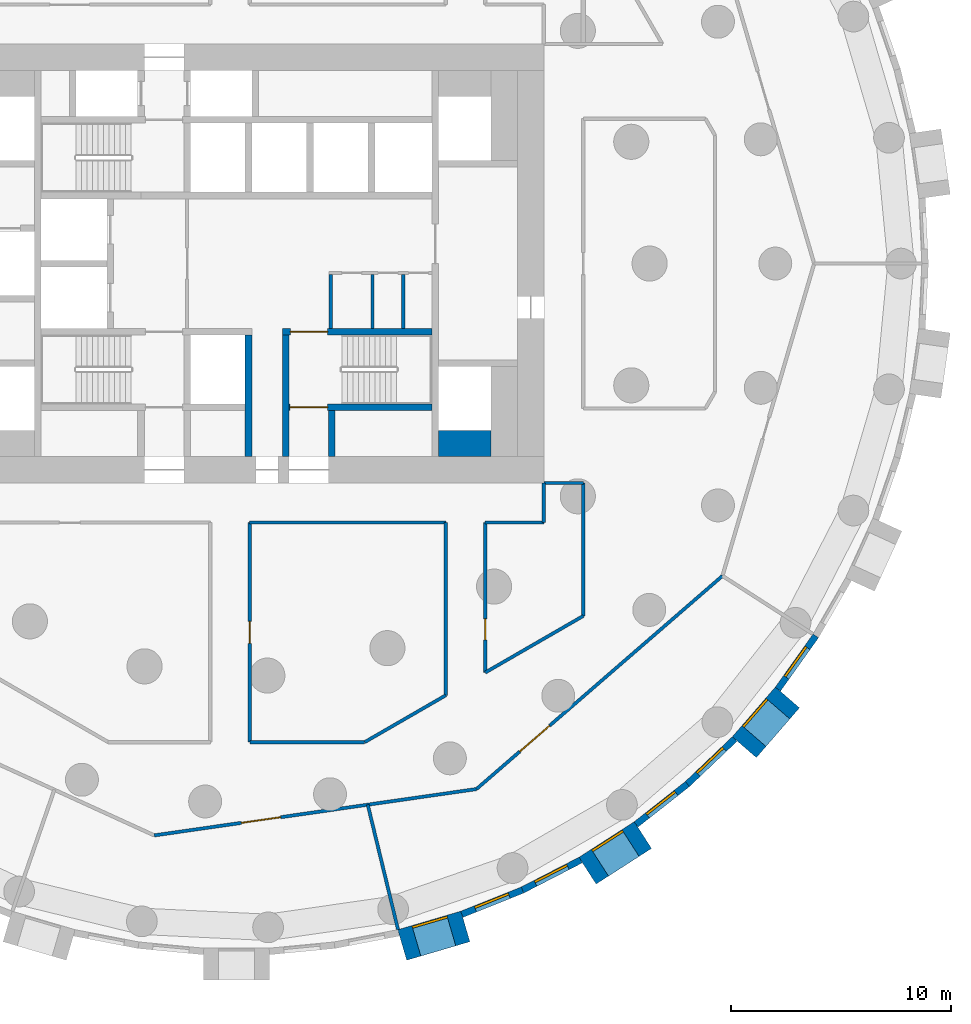
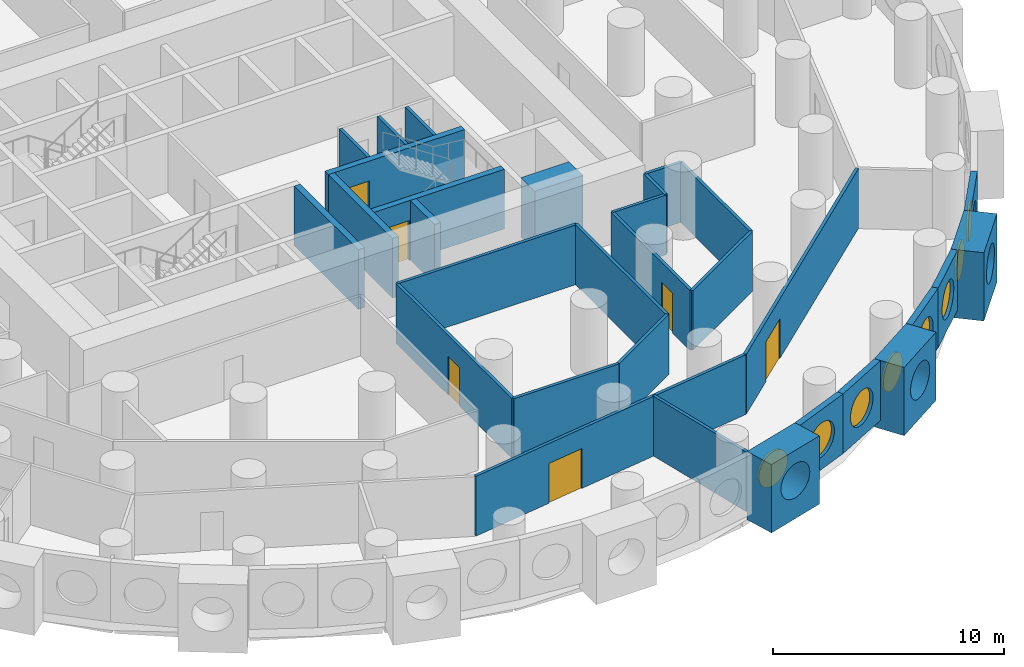
# One storey, part 5 of 12: 31 walls, 8 windows, 6 doors, 14 openings.
"""IFC4 building model written with IfcOpenShell, lengths in metres."""

from ifc_helpers import new_model, si_unit, direction, frame, frame_2d, origin, origin_2d, place, context, subcontext, project, spatial, rectangle, circle, extrude, material, layer, layer_set, type_object, element, fill, save


model = new_model("IFC4")

# Units and contexts
model_context = context("Model", 3, precision=1e-05, world=origin(), true_north=direction((0.0, 1.0)))
body_context = subcontext(model_context, "Body", "Model", "MODEL_VIEW")
ifc_project = project(units=[si_unit("LENGTHUNIT", "METRE"), si_unit("AREAUNIT", "SQUARE_METRE"), si_unit("VOLUMEUNIT", "CUBIC_METRE"), si_unit("PLANEANGLEUNIT", "RADIAN"), si_unit("MASSUNIT", "GRAM", prefix="KILO")], contexts=[model_context])

# Site, building, storey
site_placement = place(None, origin())
site = spatial("IfcSite", under=ifc_project, at=site_placement, CompositionType="ELEMENT")
building_placement = place(site_placement, origin())
building = spatial("IfcBuilding", under=site, at=building_placement, Name="Tracery Tower", CompositionType="ELEMENT")
storey_placement = place(building_placement, frame((0.0, 0.0, 57.0)))
storey = spatial("IfcBuildingStorey", under=building, at=storey_placement, Name="L13", CompositionType="ELEMENT", Elevation=57.0)

# Walls
ifc_material_1 = material(Name="Plasterboard on steel studs", Category="steel")
ifc_layer_1 = layer(ifc_material_1, 0.14990234375)
ifc_layer_set_1 = layer_set([ifc_layer_1], Name="Core room partition 150")
wall_type_1 = type_object("IfcWallType", Name="Core room partition 150", PredefinedType="SOLIDWALL", material=ifc_layer_set_1)
for number, where, z_axis, x_axis, name in (
    (1, (4.300048828125, -2.949951171875, 0.0), (0.0, 0.0, 1.0), (0.0, 1.0, 0.0), "L13 slot W"),
    (2, (6.199951171875, -2.949951171875, 0.0), (0.0, 0.0, 1.0), (0.0, 1.0, 0.0), "L13 slot sep 1"),
    (3, (7.60009765625, -2.949951171875, 0.0), (0.0, 0.0, 1.0), (0.0, 1.0, 0.0), "L13 slot sep 2"),
):
    element("IfcWall", number, at=place(storey_placement, frame(where, z_axis=z_axis, x_axis=x_axis)), inside=storey, type_object=wall_type_1, Name=name, PredefinedType="SOLIDWALL", context=body_context, shape_type="SweptSolid", body=[
        extrude(rectangle(XDim=2.449951171875, YDim=0.14990234375, at=frame_2d((1.22509765625, 0.0))), origin(), (0.0, 0.0, 1.0), 3.14990234375),
    ])
ifc_material_2 = material(Name="Concrete C60/75", Category="concrete")
ifc_layer_2 = layer(ifc_material_2, 1.199951171875)
ifc_layer_set_2 = layer_set([ifc_layer_2], Name="Core strip wall 1200 C60")
wall_type_2 = type_object("IfcWallType", Name="Core strip wall 1200 C60", PredefinedType="SOLIDWALL", material=ifc_layer_set_2)
wall_1_placement = place(storey_placement, frame((9.199951171875, -8.199951171875, 0.0), z_axis=(0.0, 0.0, 1.0), x_axis=(1.0, 0.0, 0.0)))
element("IfcWall", 4, at=wall_1_placement, inside=storey, type_object=wall_type_2, Name="L13 wing corner +1 -8.2", PredefinedType="SOLIDWALL", context=body_context, shape_type="SweptSolid", body=[
    extrude(rectangle(XDim=2.400146484375, YDim=1.199951171875, at=frame_2d((1.2001953125, 0.0))), origin(), (0.0, 0.0, 1.0), 3.14990234375),
])

# Wall, opening, window
ifc_material_3 = material(Name="Precast concrete C50/60", Category="concrete")
ifc_layer_3 = layer(ifc_material_3, 1.449951171875)
ifc_layer_set_3 = layer_set([ifc_layer_3], Name="Deep-set bay unit 3000 x 3600, slab edge 450")
wall_type_3 = type_object("IfcWallType", Name="Deep-set bay unit 3000 x 3600, slab edge 450", PredefinedType="ELEMENTEDWALL", material=ifc_layer_set_3)
wall_2_placement = place(storey_placement, frame((7.552001953125, -31.043701171875, -0.449951171875), z_axis=(0.0, 0.0, 1.0), x_axis=(0.959489813418, 0.281743319258, 0.0)))
wall_2 = element("IfcWall", 5, at=wall_2_placement, inside=storey, type_object=wall_type_3, Name="Deep-set bay unit 53 at L13", PredefinedType="ELEMENTEDWALL", context=body_context, shape_type="SweptSolid", body=[
    extrude(rectangle(XDim=3.0, YDim=1.449951171875, at=frame_2d((1.5, 0.0))), origin(), (0.0, 0.0, 1.0), 3.599853515625),
])
opening_1_placement = place(wall_2_placement, frame((1.5, 0.0, 2.0)))
opening_1 = element("IfcOpeningElement", 6, at=opening_1_placement, cuts=wall_2, Name="Opening WN1", PredefinedType="OPENING", context=body_context, shape_type="SweptSolid", body=[
    extrude(circle(Radius=0.9000244140625, at=origin_2d()), frame((0.0, 0.73486328125, 0.0), z_axis=(0.0, -1.0, 0.0), x_axis=(1.0, 0.0, 0.0)), (0.0, 0.0, 1.0), 1.469970703125),
])
ifc_material_4 = material(Name="Aluminium frame with tinted double glazing", Category="aluminium")
window_type = type_object("IfcWindowType", Name="Round window 1800", PartitioningType="SINGLE_PANEL", PredefinedType="WINDOW", material=ifc_material_4)
window_1_placement = place(opening_1_placement, origin())
window_1 = element("IfcWindow", 7, at=window_1_placement, inside=storey, type_object=window_type, Name="Round window 53 at L13", OverallHeight=1.800048828125, OverallWidth=1.800048828125, PartitioningType="SINGLE_PANEL", PredefinedType="WINDOW", context=body_context, shape_type="SweptSolid", body=[
    extrude(circle(Radius=0.9000244140625, at=origin_2d()), frame((0.0, 0.69482421875, 0.0), z_axis=(0.0, -1.0, 0.0), x_axis=(1.0, 0.0, 0.0)), (0.0, 0.0, 1.0), 0.10009765625),
])
fill(opening_1, window_1)

wall_3_placement = place(storey_placement, frame((15.9921875, -27.65869140625, -0.449951171875), z_axis=(0.0, 0.0, 1.0), x_axis=(0.841223422347, 0.540687667415, 0.0)))
wall_3 = element("IfcWall", 8, at=wall_3_placement, inside=storey, type_object=wall_type_3, Name="Deep-set bay unit 56 at L13", PredefinedType="ELEMENTEDWALL", context=body_context, shape_type="SweptSolid", body=[
    extrude(rectangle(XDim=3.0, YDim=1.449951171875, at=frame_2d((1.5, 0.0))), origin(), (0.0, 0.0, 1.0), 3.599853515625),
])
opening_2_placement = place(wall_3_placement, frame((1.5, 0.0, 2.0)))
opening_2 = element("IfcOpeningElement", 9, at=opening_2_placement, cuts=wall_3, Name="Opening WN1", PredefinedType="OPENING", context=body_context, shape_type="SweptSolid", body=[
    extrude(circle(Radius=0.9000244140625, at=origin_2d()), frame((0.0, 0.73486328125, 0.0), z_axis=(0.0, -1.0, 0.0), x_axis=(1.0, 0.0, 0.0)), (0.0, 0.0, 1.0), 1.469970703125),
])
window_2_placement = place(opening_2_placement, origin())
window_2 = element("IfcWindow", 10, at=window_2_placement, inside=storey, type_object=window_type, Name="Round window 56 at L13", OverallHeight=1.800048828125, OverallWidth=1.800048828125, PartitioningType="SINGLE_PANEL", PredefinedType="WINDOW", context=body_context, shape_type="SweptSolid", body=[
    extrude(circle(Radius=0.9000244140625, at=origin_2d()), frame((0.0, 0.69482421875, 0.0), z_axis=(0.0, -1.0, 0.0), x_axis=(1.0, 0.0, 0.0)), (0.0, 0.0, 1.0), 0.10009765625),
])
fill(opening_2, window_2)

wall_4_placement = place(storey_placement, frame((23.13671875, -22.03271484375, -0.449951171875), z_axis=(0.0, 0.0, 1.0), x_axis=(0.654890259022, 0.75572398972, 0.0)))
wall_4 = element("IfcWall", 11, at=wall_4_placement, inside=storey, type_object=wall_type_3, Name="Deep-set bay unit 59 at L13", PredefinedType="ELEMENTEDWALL", context=body_context, shape_type="SweptSolid", body=[
    extrude(rectangle(XDim=3.0, YDim=1.449951171875, at=frame_2d((1.5, 0.0))), origin(), (0.0, 0.0, 1.0), 3.599853515625),
])
opening_3_placement = place(wall_4_placement, frame((1.5, 0.0, 2.0)))
opening_3 = element("IfcOpeningElement", 12, at=opening_3_placement, cuts=wall_4, Name="Opening WN1", PredefinedType="OPENING", context=body_context, shape_type="SweptSolid", body=[
    extrude(circle(Radius=0.9000244140625, at=origin_2d()), frame((0.0, 0.73486328125, 0.0), z_axis=(0.0, -1.0, 0.0), x_axis=(1.0, 0.0, 0.0)), (0.0, 0.0, 1.0), 1.469970703125),
])
window_3_placement = place(opening_3_placement, origin())
window_3 = element("IfcWindow", 13, at=window_3_placement, inside=storey, type_object=window_type, Name="Round window 59 at L13", OverallHeight=1.800048828125, OverallWidth=1.800048828125, PartitioningType="SINGLE_PANEL", PredefinedType="WINDOW", context=body_context, shape_type="SweptSolid", body=[
    extrude(circle(Radius=0.9000244140625, at=origin_2d()), frame((0.0, 0.69482421875, 0.0), z_axis=(0.0, -1.0, 0.0), x_axis=(1.0, 0.0, 0.0)), (0.0, 0.0, 1.0), 0.10009765625),
])
fill(opening_3, window_3)

ifc_material_5 = material(Name="Precast concrete C50/60", Category="concrete")
ifc_layer_4 = layer(ifc_material_5, 0.300048828125)
ifc_layer_set_4 = layer_set([ifc_layer_4], Name="Facade panel 3000 x 3150")
wall_type_4 = type_object("IfcWallType", Name="Facade panel 3000 x 3150", PredefinedType="SOLIDWALL", material=ifc_layer_set_4)
wall_5_placement = place(storey_placement, frame((10.26708984375, -29.646484375, 0.0), z_axis=(0.0, 0.0, 1.0), x_axis=(0.928403213937, 0.371574316054, 0.0)))
wall_5 = element("IfcWall", 14, at=wall_5_placement, inside=storey, type_object=wall_type_4, Name="Facade panel 54 at L13", PredefinedType="SOLIDWALL", context=body_context, shape_type="SweptSolid", body=[
    extrude(rectangle(XDim=2.979736328125, YDim=0.300048828125, at=frame_2d((1.48974609375, 0.0))), origin(), (0.0, 0.0, 1.0), 3.14990234375),
])
opening_4_placement = place(wall_5_placement, frame((1.48974609375, 0.0, 1.5498046875)))
opening_4 = element("IfcOpeningElement", 15, at=opening_4_placement, cuts=wall_5, Name="Opening WN1", PredefinedType="OPENING", context=body_context, shape_type="SweptSolid", body=[
    extrude(circle(Radius=0.9000244140625, at=origin_2d()), frame((0.0, 0.159912109375, 0.0), z_axis=(0.0, -1.0, 0.0), x_axis=(1.0, 0.0, 0.0)), (0.0, 0.0, 1.0), 0.320068359375),
])
window_4_placement = place(opening_4_placement, origin())
window_4 = element("IfcWindow", 16, at=window_4_placement, inside=storey, type_object=window_type, Name="Round window 54 at L13", OverallHeight=1.800048828125, OverallWidth=1.800048828125, PartitioningType="SINGLE_PANEL", PredefinedType="WINDOW", context=body_context, shape_type="SweptSolid", body=[
    extrude(circle(Radius=0.9000244140625, at=origin_2d()), frame((0.0, 0.1201171875, 0.0), z_axis=(0.0, -1.0, 0.0), x_axis=(1.0, 0.0, 0.0)), (0.0, 0.0, 1.0), 0.10009765625),
])
fill(opening_4, window_4)

wall_6_placement = place(storey_placement, frame((13.033447265625, -28.539306640625, 0.0), z_axis=(0.0, 0.0, 1.0), x_axis=(0.888819853856, 0.458256770153, 0.0)))
wall_6 = element("IfcWall", 17, at=wall_6_placement, inside=storey, type_object=wall_type_4, Name="Facade panel 55 at L13", PredefinedType="SOLIDWALL", context=body_context, shape_type="SweptSolid", body=[
    extrude(rectangle(XDim=2.979736328125, YDim=0.300048828125, at=frame_2d((1.48974609375, 0.0))), origin(), (0.0, 0.0, 1.0), 3.14990234375),
])
opening_5_placement = place(wall_6_placement, frame((1.48974609375, 0.0, 1.5498046875)))
opening_5 = element("IfcOpeningElement", 18, at=opening_5_placement, cuts=wall_6, Name="Opening WN1", PredefinedType="OPENING", context=body_context, shape_type="SweptSolid", body=[
    extrude(circle(Radius=0.9000244140625, at=origin_2d()), frame((0.0, 0.159912109375, 0.0), z_axis=(0.0, -1.0, 0.0), x_axis=(1.0, 0.0, 0.0)), (0.0, 0.0, 1.0), 0.320068359375),
])
window_5_placement = place(opening_5_placement, origin())
window_5 = element("IfcWindow", 19, at=window_5_placement, inside=storey, type_object=window_type, Name="Round window 55 at L13", OverallHeight=1.800048828125, OverallWidth=1.800048828125, PartitioningType="SINGLE_PANEL", PredefinedType="WINDOW", context=body_context, shape_type="SweptSolid", body=[
    extrude(circle(Radius=0.9000244140625, at=origin_2d()), frame((0.0, 0.1201171875, 0.0), z_axis=(0.0, -1.0, 0.0), x_axis=(1.0, 0.0, 0.0)), (0.0, 0.0, 1.0), 0.10009765625),
])
fill(opening_5, window_5)

wall_7_placement = place(storey_placement, frame((18.20361328125, -25.55322265625, 0.0), z_axis=(0.0, 0.0, 1.0), x_axis=(0.786045331304, 0.618168858108, 0.0)))
wall_7 = element("IfcWall", 20, at=wall_7_placement, inside=storey, type_object=wall_type_4, Name="Facade panel 57 at L13", PredefinedType="SOLIDWALL", context=body_context, shape_type="SweptSolid", body=[
    extrude(rectangle(XDim=2.979736328125, YDim=0.300048828125, at=frame_2d((1.48974609375, 0.0))), origin(), (0.0, 0.0, 1.0), 3.14990234375),
])
opening_6_placement = place(wall_7_placement, frame((1.48974609375, 0.0, 1.5498046875)))
opening_6 = element("IfcOpeningElement", 21, at=opening_6_placement, cuts=wall_7, Name="Opening WN1", PredefinedType="OPENING", context=body_context, shape_type="SweptSolid", body=[
    extrude(circle(Radius=0.9000244140625, at=origin_2d()), frame((0.0, 0.159912109375, 0.0), z_axis=(0.0, -1.0, 0.0), x_axis=(1.0, 0.0, 0.0)), (0.0, 0.0, 1.0), 0.320068359375),
])
window_6_placement = place(opening_6_placement, origin())
window_6 = element("IfcWindow", 22, at=window_6_placement, inside=storey, type_object=window_type, Name="Round window 57 at L13", OverallHeight=1.800048828125, OverallWidth=1.800048828125, PartitioningType="SINGLE_PANEL", PredefinedType="WINDOW", context=body_context, shape_type="SweptSolid", body=[
    extrude(circle(Radius=0.9000244140625, at=origin_2d()), frame((0.0, 0.1201171875, 0.0), z_axis=(0.0, -1.0, 0.0), x_axis=(1.0, 0.0, 0.0)), (0.0, 0.0, 1.0), 0.10009765625),
])
fill(opening_6, window_6)

wall_8_placement = place(storey_placement, frame((20.5458984375, -23.711181640625, 0.0), z_axis=(0.0, 0.0, 1.0), x_axis=(0.723744206617, 0.690068346896, 0.0)))
wall_8 = element("IfcWall", 23, at=wall_8_placement, inside=storey, type_object=wall_type_4, Name="Facade panel 58 at L13", PredefinedType="SOLIDWALL", context=body_context, shape_type="SweptSolid", body=[
    extrude(rectangle(XDim=2.979736328125, YDim=0.300048828125, at=frame_2d((1.48974609375, 0.0))), origin(), (0.0, 0.0, 1.0), 3.14990234375),
])
opening_7_placement = place(wall_8_placement, frame((1.48974609375, 0.0, 1.5498046875)))
opening_7 = element("IfcOpeningElement", 24, at=opening_7_placement, cuts=wall_8, Name="Opening WN1", PredefinedType="OPENING", context=body_context, shape_type="SweptSolid", body=[
    extrude(circle(Radius=0.9000244140625, at=origin_2d()), frame((0.0, 0.159912109375, 0.0), z_axis=(0.0, -1.0, 0.0), x_axis=(1.0, 0.0, 0.0)), (0.0, 0.0, 1.0), 0.320068359375),
])
window_7_placement = place(opening_7_placement, origin())
window_7 = element("IfcWindow", 25, at=window_7_placement, inside=storey, type_object=window_type, Name="Round window 58 at L13", OverallHeight=1.800048828125, OverallWidth=1.800048828125, PartitioningType="SINGLE_PANEL", PredefinedType="WINDOW", context=body_context, shape_type="SweptSolid", body=[
    extrude(circle(Radius=0.9000244140625, at=origin_2d()), frame((0.0, 0.1201171875, 0.0), z_axis=(0.0, -1.0, 0.0), x_axis=(1.0, 0.0, 0.0)), (0.0, 0.0, 1.0), 0.10009765625),
])
fill(opening_7, window_7)

wall_9_placement = place(storey_placement, frame((24.66552734375, -19.389404296875, 0.0), z_axis=(0.0, 0.0, 1.0), x_axis=(0.580059407678, 0.81457417315, 0.0)))
wall_9 = element("IfcWall", 26, at=wall_9_placement, inside=storey, type_object=wall_type_4, Name="Facade panel 60 at L13", PredefinedType="SOLIDWALL", context=body_context, shape_type="SweptSolid", body=[
    extrude(rectangle(XDim=2.9794921875, YDim=0.300048828125, at=frame_2d((1.48974609375, 0.0))), origin(), (0.0, 0.0, 1.0), 3.14990234375),
])
opening_8_placement = place(wall_9_placement, frame((1.48974609375, 0.0, 1.5498046875)))
opening_8 = element("IfcOpeningElement", 27, at=opening_8_placement, cuts=wall_9, Name="Opening WN1", PredefinedType="OPENING", context=body_context, shape_type="SweptSolid", body=[
    extrude(circle(Radius=0.9000244140625, at=origin_2d()), frame((0.0, 0.159912109375, 0.0), z_axis=(0.0, -1.0, 0.0), x_axis=(1.0, 0.0, 0.0)), (0.0, 0.0, 1.0), 0.320068359375),
])
window_8_placement = place(opening_8_placement, origin())
window_8 = element("IfcWindow", 28, at=window_8_placement, inside=storey, type_object=window_type, Name="Round window 60 at L13", OverallHeight=1.800048828125, OverallWidth=1.800048828125, PartitioningType="SINGLE_PANEL", PredefinedType="WINDOW", context=body_context, shape_type="SweptSolid", body=[
    extrude(circle(Radius=0.9000244140625, at=origin_2d()), frame((0.0, 0.1201171875, 0.0), z_axis=(0.0, -1.0, 0.0), x_axis=(1.0, 0.0, 0.0)), (0.0, 0.0, 1.0), 0.10009765625),
])
fill(opening_8, window_8)

# Walls
ifc_material_6 = material(Name="Plasterboard on steel studs", Category="steel")
ifc_layer_5 = layer(ifc_material_6, 0.14990234375)
ifc_layer_set_5 = layer_set([ifc_layer_5], Name="Partition 150 acoustic unit wall")
wall_type_5 = type_object("IfcWallType", Name="Partition 150 acoustic unit wall", PredefinedType="PARTITIONING", material=ifc_layer_set_5)
wall_10_placement = place(storey_placement, frame((5.98095703125, -24.652099609375, 0.0), z_axis=(0.0, 0.0, 1.0), x_axis=(0.235644168604, -0.971839403298, 0.0)))
element("IfcWall", 29, at=wall_10_placement, inside=storey, type_object=wall_type_5, Name="Unit wall RA3-101", PredefinedType="PARTITIONING", context=body_context, shape_type="SweptSolid", body=[
    extrude(rectangle(XDim=5.85693359375, YDim=0.14990234375, at=frame_2d((2.928466796875, 0.0))), origin(), (0.0, 0.0, 1.0), 3.14990234375),
])
ifc_material_7 = material(Name="Plasterboard on steel studs", Category="steel")
ifc_layer_6 = layer(ifc_material_7, 0.14990234375)
ifc_layer_set_6 = layer_set([ifc_layer_6], Name="Partition 150 corridor wall")
wall_type_6 = type_object("IfcWallType", Name="Partition 150 corridor wall", PredefinedType="PARTITIONING", material=ifc_layer_set_6)
wall_11_placement = place(storey_placement, frame((0.60400390625, -11.800048828125, 0.0), z_axis=(0.0, 0.0, 1.0), x_axis=(1.0, 0.0, 0.0)))
element("IfcWall", 30, at=wall_11_placement, inside=storey, type_object=wall_type_6, Name="Corridor wall RA3-006", PredefinedType="PARTITIONING", context=body_context, shape_type="SweptSolid", body=[
    extrude(rectangle(XDim=8.93603515625, YDim=0.14990234375, at=frame_2d((4.468017578125, 0.0))), origin(), (0.0, 0.0, 1.0), 3.14990234375),
])
wall_12_placement = place(storey_placement, frame((14.0, -11.800048828125, 0.0), z_axis=(0.0, 0.0, 1.0), x_axis=(0.0, 1.0, 0.0)))
element("IfcWall", 31, at=wall_12_placement, inside=storey, type_object=wall_type_6, Name="Corridor wall RA3-007", PredefinedType="PARTITIONING", context=body_context, shape_type="SweptSolid", body=[
    extrude(rectangle(XDim=1.800048828125, YDim=0.14990234375, at=frame_2d((0.89990234375, 0.0))), origin(), (0.0, 0.0, 1.0), 3.14990234375),
])
wall_13_placement = place(storey_placement, frame((11.33203125, -11.800048828125, 0.0), z_axis=(0.0, 0.0, 1.0), x_axis=(1.0, 0.0, 0.0)))
element("IfcWall", 32, at=wall_13_placement, inside=storey, type_object=wall_type_6, Name="Corridor wall RA3-008", PredefinedType="PARTITIONING", context=body_context, shape_type="SweptSolid", body=[
    extrude(rectangle(XDim=2.66796875, YDim=0.14990234375, at=frame_2d((1.333984375, 0.0))), origin(), (0.0, 0.0, 1.0), 3.14990234375),
])
wall_14_placement = place(storey_placement, frame((14.0, -10.0, 0.0), z_axis=(0.0, 0.0, 1.0), x_axis=(1.0, 0.0, 0.0)))
element("IfcWall", 33, at=wall_14_placement, inside=storey, type_object=wall_type_6, Name="Corridor wall RA3-011", PredefinedType="PARTITIONING", context=body_context, shape_type="SweptSolid", body=[
    extrude(rectangle(XDim=1.800048828125, YDim=0.14990234375, at=frame_2d((0.89990234375, 0.0))), origin(), (0.0, 0.0, 1.0), 3.14990234375),
])
wall_15_placement = place(storey_placement, frame((15.800048828125, -16.052978515625, 0.0), z_axis=(0.0, 0.0, 1.0), x_axis=(0.0, 1.0, 0.0)))
element("IfcWall", 34, at=wall_15_placement, inside=storey, type_object=wall_type_6, Name="Corridor wall RA3-014", PredefinedType="PARTITIONING", context=body_context, shape_type="SweptSolid", body=[
    extrude(rectangle(XDim=6.056884765625, YDim=0.14990234375, at=frame_2d((3.0283203125, 0.0))), origin(), (0.0, 0.0, 1.0), 3.14990234375),
])

# Wall, opening, door
wall_16_placement = place(storey_placement, frame((10.93310546875, -23.940185546875, 0.0), z_axis=(0.0, 0.0, 1.0), x_axis=(0.755770011705, 0.654837147242, 0.0)))
wall_16 = element("IfcWall", 35, at=wall_16_placement, inside=storey, type_object=wall_type_6, Name="Corridor wall RA3-023", PredefinedType="PARTITIONING", context=body_context, shape_type="SweptSolid", body=[
    extrude(rectangle(XDim=14.829833984375, YDim=0.14990234375, at=frame_2d((7.4150390625, 0.0))), origin(), (0.0, 0.0, 1.0), 3.14990234375),
])
opening_9_placement = place(wall_16_placement, frame((2.61083984375, 0.0, 0.0)))
opening_9 = element("IfcOpeningElement", 36, at=opening_9_placement, cuts=wall_16, Name="Opening RA3-40", PredefinedType="OPENING", context=body_context, shape_type="SweptSolid", body=[
    extrude(rectangle(XDim=1.800048828125, YDim=2.10009765625, at=frame_2d((0.89990234375, 1.050048828125))), frame((0.0, 0.074951171875, 0.0), z_axis=(0.0, -1.0, 0.0), x_axis=(1.0, 0.0, 0.0)), (0.0, 0.0, 1.0), 0.14990234375),
])
ifc_material_8 = material(Name="Timber door leaf", Category="wood")
door_type_1 = type_object("IfcDoorType", Name="Door double lounge 1800", OperationType="NOTDEFINED", PredefinedType="DOOR", material=ifc_material_8)
door_1_placement = place(opening_9_placement, origin())
door_1 = element("IfcDoor", 37, at=door_1_placement, inside=storey, type_object=door_type_1, Name="Double lounge door RA3-40", OperationType="DOUBLE_DOOR_SINGLE_SWING", OverallHeight=2.10009765625, OverallWidth=1.800048828125, PredefinedType="DOOR", context=body_context, shape_type="SweptSolid", body=[
    extrude(rectangle(XDim=1.800048828125, YDim=2.10009765625, at=frame_2d((0.89990234375, 1.050048828125))), frame((0.0, 0.02490234375, 0.0), z_axis=(0.0, -1.0, 0.0), x_axis=(1.0, 0.0, 0.0)), (0.0, 0.0, 1.0), 0.050048828125),
])
fill(opening_9, door_1)

wall_17_placement = place(storey_placement, frame((0.60791015625, -21.802001953125, 0.0), z_axis=(0.0, 0.0, 1.0), x_axis=(0.0, 1.0, 0.0)))
wall_17 = element("IfcWall", 38, at=wall_17_placement, inside=storey, type_object=wall_type_6, Name="Corridor wall RA3-050", PredefinedType="PARTITIONING", context=body_context, shape_type="SweptSolid", body=[
    extrude(rectangle(XDim=10.001953125, YDim=0.14990234375, at=frame_2d((5.0009765625, 0.0))), origin(), (0.0, 0.0, 1.0), 3.14990234375),
])
opening_10_placement = place(wall_17_placement, frame((4.5009765625, 0.0, 0.0)))
opening_10 = element("IfcOpeningElement", 39, at=opening_10_placement, cuts=wall_17, Name="Opening RA3-05", PredefinedType="OPENING", context=body_context, shape_type="SweptSolid", body=[
    extrude(rectangle(XDim=1.0, YDim=2.0400390625, at=frame_2d((0.5, 1.02001953125))), frame((0.0, 0.074951171875, 0.0), z_axis=(0.0, -1.0, 0.0), x_axis=(1.0, 0.0, 0.0)), (0.0, 0.0, 1.0), 0.14990234375),
])
ifc_material_9 = material(Name="Timber door leaf", Category="wood")
door_type_2 = type_object("IfcDoorType", Name="Door communal room 1000", OperationType="NOTDEFINED", PredefinedType="DOOR", material=ifc_material_9)
door_2_placement = place(opening_10_placement, origin())
door_2 = element("IfcDoor", 40, at=door_2_placement, inside=storey, type_object=door_type_2, Name="Communal room door RA3-05", OperationType="SINGLE_SWING_RIGHT", OverallHeight=2.0400390625, OverallWidth=1.0, PredefinedType="DOOR", context=body_context, shape_type="SweptSolid", body=[
    extrude(rectangle(XDim=1.0, YDim=2.0400390625, at=frame_2d((0.5, 1.02001953125))), frame((0.0, 0.02490234375, 0.0), z_axis=(0.0, -1.0, 0.0), x_axis=(1.0, 0.0, 0.0)), (0.0, 0.0, 1.0), 0.050048828125),
])
fill(opening_10, door_2)

# Walls
wall_18_placement = place(storey_placement, frame((0.60791015625, -21.802001953125, 0.0), z_axis=(0.0, 0.0, 1.0), x_axis=(1.0, 0.0, 0.0)))
element("IfcWall", 41, at=wall_18_placement, inside=storey, type_object=wall_type_6, Name="Corridor wall RA3-051", PredefinedType="PARTITIONING", context=body_context, shape_type="SweptSolid", body=[
    extrude(rectangle(XDim=5.234130859375, YDim=0.14990234375, at=frame_2d((2.6171875, 0.0))), origin(), (0.0, 0.0, 1.0), 3.14990234375),
])
wall_19_placement = place(storey_placement, frame((5.842041015625, -21.802001953125, 0.0), z_axis=(0.0, 0.0, 1.0), x_axis=(0.865983505205, 0.500072563448, 0.0)))
element("IfcWall", 42, at=wall_19_placement, inside=storey, type_object=wall_type_6, Name="Corridor wall RA3-052", PredefinedType="PARTITIONING", context=body_context, shape_type="SweptSolid", body=[
    extrude(rectangle(XDim=4.265380859375, YDim=0.14990234375, at=frame_2d((2.1328125, 0.0))), origin(), (0.0, 0.0, 1.0), 3.14990234375),
])
wall_20_placement = place(storey_placement, frame((9.535888671875, -19.6689453125, 0.0), z_axis=(0.0, 0.0, 1.0), x_axis=(0.0, 1.0, 0.0)))
element("IfcWall", 43, at=wall_20_placement, inside=storey, type_object=wall_type_6, Name="Corridor wall RA3-053", PredefinedType="PARTITIONING", context=body_context, shape_type="SweptSolid", body=[
    extrude(rectangle(XDim=7.868896484375, YDim=0.14990234375, at=frame_2d((3.9345703125, 0.0))), origin(), (0.0, 0.0, 1.0), 3.14990234375),
])

# Wall, opening, door
wall_21_placement = place(storey_placement, frame((11.3359375, -18.6298828125, 0.0), z_axis=(0.0, 0.0, 1.0), x_axis=(0.0, 1.0, 0.0)))
wall_21 = element("IfcWall", 44, at=wall_21_placement, inside=storey, type_object=wall_type_6, Name="Corridor wall RA3-054", PredefinedType="PARTITIONING", context=body_context, shape_type="SweptSolid", body=[
    extrude(rectangle(XDim=6.829833984375, YDim=0.14990234375, at=frame_2d((3.4150390625, 0.0))), origin(), (0.0, 0.0, 1.0), 3.14990234375),
])
opening_11_placement = place(wall_21_placement, frame((1.489990234375, 0.0, 0.0)))
opening_11 = element("IfcOpeningElement", 45, at=opening_11_placement, cuts=wall_21, Name="Opening RA3-06", PredefinedType="OPENING", context=body_context, shape_type="SweptSolid", body=[
    extrude(rectangle(XDim=0.949951171875, YDim=2.10009765625, at=frame_2d((0.47509765625, 1.050048828125))), frame((0.0, 0.074951171875, 0.0), z_axis=(0.0, -1.0, 0.0), x_axis=(1.0, 0.0, 0.0)), (0.0, 0.0, 1.0), 0.14990234375),
])
ifc_material_10 = material(Name="Timber door leaf", Category="wood")
door_type_3 = type_object("IfcDoorType", Name="Door store 950", OperationType="NOTDEFINED", PredefinedType="DOOR", material=ifc_material_10)
door_3_placement = place(opening_11_placement, origin())
door_3 = element("IfcDoor", 46, at=door_3_placement, inside=storey, type_object=door_type_3, Name="Store door RA3-06", OperationType="SINGLE_SWING_RIGHT", OverallHeight=2.10009765625, OverallWidth=0.949951171875, PredefinedType="DOOR", context=body_context, shape_type="SweptSolid", body=[
    extrude(rectangle(XDim=0.949951171875, YDim=2.10009765625, at=frame_2d((0.47509765625, 1.050048828125))), frame((0.0, 0.02490234375, 0.0), z_axis=(0.0, -1.0, 0.0), x_axis=(1.0, 0.0, 0.0)), (0.0, 0.0, 1.0), 0.050048828125),
])
fill(opening_11, door_3)

# Wall
wall_22_placement = place(storey_placement, frame((11.3359375, -18.6298828125, 0.0), z_axis=(0.0, 0.0, 1.0), x_axis=(0.866063337164, 0.499934291702, 0.0)))
element("IfcWall", 47, at=wall_22_placement, inside=storey, type_object=wall_type_6, Name="Corridor wall RA3-055", PredefinedType="PARTITIONING", context=body_context, shape_type="SweptSolid", body=[
    extrude(rectangle(XDim=5.154541015625, YDim=0.14990234375, at=frame_2d((2.5771484375, 0.0))), origin(), (0.0, 0.0, 1.0), 3.14990234375),
])

# Wall, opening, door
wall_23_placement = place(storey_placement, frame((-3.74609375, -26.051025390625, 0.0), z_axis=(0.0, 0.0, 1.0), x_axis=(0.989823328782, 0.142301713967, 0.0)))
wall_23 = element("IfcWall", 48, at=wall_23_placement, inside=storey, type_object=wall_type_6, Name="Corridor wall RA3-057", PredefinedType="PARTITIONING", context=body_context, shape_type="SweptSolid", body=[
    extrude(rectangle(XDim=14.830078125, YDim=0.14990234375, at=frame_2d((7.4150390625, 0.0))), origin(), (0.0, 0.0, 1.0), 3.14990234375),
])
opening_12_placement = place(wall_23_placement, frame((4.01513671875, 0.0, 0.0)))
opening_12 = element("IfcOpeningElement", 49, at=opening_12_placement, cuts=wall_23, Name="Opening RA3-39", PredefinedType="OPENING", context=body_context, shape_type="SweptSolid", body=[
    extrude(rectangle(XDim=1.800048828125, YDim=2.10009765625, at=frame_2d((0.89990234375, 1.050048828125))), frame((0.0, 0.074951171875, 0.0), z_axis=(0.0, -1.0, 0.0), x_axis=(1.0, 0.0, 0.0)), (0.0, 0.0, 1.0), 0.14990234375),
])
door_4_placement = place(opening_12_placement, origin())
door_4 = element("IfcDoor", 50, at=door_4_placement, inside=storey, type_object=door_type_1, Name="Double lounge door RA3-39", OperationType="DOUBLE_DOOR_SINGLE_SWING", OverallHeight=2.10009765625, OverallWidth=1.800048828125, PredefinedType="DOOR", context=body_context, shape_type="SweptSolid", body=[
    extrude(rectangle(XDim=1.800048828125, YDim=2.10009765625, at=frame_2d((0.89990234375, 1.050048828125))), frame((0.0, 0.02490234375, 0.0), z_axis=(0.0, -1.0, 0.0), x_axis=(1.0, 0.0, 0.0)), (0.0, 0.0, 1.0), 0.050048828125),
])
fill(opening_12, door_4)

# Walls
ifc_material_11 = material(Name="Concrete C60/75", Category="concrete")
ifc_layer_7 = layer(ifc_material_11, 0.300048828125)
ifc_layer_set_7 = layer_set([ifc_layer_7], Name="Shaft wall 300 C60")
wall_type_7 = type_object("IfcWallType", Name="Shaft wall 300 C60", PredefinedType="SOLIDWALL", material=ifc_layer_set_7)
wall_24_placement = place(storey_placement, frame((0.550048828125, -8.800048828125, 0.0), z_axis=(0.0, 0.0, 1.0), x_axis=(0.0, 1.0, 0.0)))
element("IfcWall", 51, at=wall_24_placement, inside=storey, type_object=wall_type_7, Name="L13 OB2 E", PredefinedType="SOLIDWALL", context=body_context, shape_type="SweptSolid", body=[
    extrude(rectangle(XDim=5.550048828125, YDim=0.300048828125, at=frame_2d((2.77490234375, 0.0))), origin(), (0.0, 0.0, 1.0), 3.14990234375),
])
wall_25_placement = place(storey_placement, frame((4.35009765625, -8.800048828125, 0.0), z_axis=(0.0, 0.0, 1.0), x_axis=(0.0, 1.0, 0.0)))
element("IfcWall", 52, at=wall_25_placement, inside=storey, type_object=wall_type_7, Name="L13 band S +4.35", PredefinedType="SOLIDWALL", context=body_context, shape_type="SweptSolid", body=[
    extrude(rectangle(XDim=2.10009765625, YDim=0.300048828125, at=frame_2d((1.050048828125, 0.0))), origin(), (0.0, 0.0, 1.0), 3.14990234375),
])

# Wall, opening, door
ifc_material_12 = material(Name="Concrete C60/75", Category="concrete")
ifc_layer_8 = layer(ifc_material_12, 0.300048828125)
ifc_layer_set_8 = layer_set([ifc_layer_8], Name="Stair wall 300 C60")
wall_type_8 = type_object("IfcWallType", Name="Stair wall 300 C60", PredefinedType="SOLIDWALL", material=ifc_layer_set_8)
wall_26_placement = place(storey_placement, frame((2.10009765625, -3.10009765625, 0.0), z_axis=(0.0, 0.0, 1.0), x_axis=(1.0, 0.0, 0.0)))
wall_26 = element("IfcWall", 53, at=wall_26_placement, inside=storey, type_object=wall_type_8, Name="L13 row S E", PredefinedType="SOLIDWALL", context=body_context, shape_type="SweptSolid", body=[
    extrude(rectangle(XDim=6.7998046875, YDim=0.300048828125, at=frame_2d((3.39990234375, 0.0))), origin(), (0.0, 0.0, 1.0), 3.14990234375),
])
opening_13_placement = place(wall_26_placement, frame((0.35009765625, 0.0, 0.0)))
opening_13 = element("IfcOpeningElement", 54, at=opening_13_placement, cuts=wall_26, Name="Opening KD3", PredefinedType="OPENING", context=body_context, shape_type="SweptSolid", body=[
    extrude(rectangle(XDim=1.699951171875, YDim=2.10009765625, at=frame_2d((0.85009765625, 1.050048828125))), frame((0.0, 0.14990234375, 0.0), z_axis=(0.0, -1.0, 0.0), x_axis=(1.0, 0.0, 0.0)), (0.0, 0.0, 1.0), 0.300048828125),
])
ifc_material_13 = material(Name="Steel fire door", Category="steel")
door_type_4 = type_object("IfcDoorType", Name="Core stair door 1700 double", OperationType="NOTDEFINED", PredefinedType="DOOR", material=ifc_material_13)
door_5_placement = place(opening_13_placement, origin())
door_5 = element("IfcDoor", 55, at=door_5_placement, inside=storey, type_object=door_type_4, Name="Stair door ST2", OperationType="DOUBLE_DOOR_SINGLE_SWING", OverallHeight=2.10009765625, OverallWidth=1.699951171875, PredefinedType="DOOR", context=body_context, shape_type="SweptSolid", body=[
    extrude(rectangle(XDim=1.699951171875, YDim=2.10009765625, at=frame_2d((0.85009765625, 1.050048828125))), frame((0.0, 0.02490234375, 0.0), z_axis=(0.0, -1.0, 0.0), x_axis=(1.0, 0.0, 0.0)), (0.0, 0.0, 1.0), 0.050048828125),
])
fill(opening_13, door_5)

# Wall
wall_27_placement = place(storey_placement, frame((2.25, -8.800048828125, 0.0), z_axis=(0.0, 0.0, 1.0), x_axis=(0.0, 1.0, 0.0)))
element("IfcWall", 56, at=wall_27_placement, inside=storey, type_object=wall_type_8, Name="L13 ST2 W", PredefinedType="SOLIDWALL", context=body_context, shape_type="SweptSolid", body=[
    extrude(rectangle(XDim=5.550048828125, YDim=0.300048828125, at=frame_2d((2.77490234375, 0.0))), origin(), (0.0, 0.0, 1.0), 3.14990234375),
])

# Wall, opening, door
wall_28_placement = place(storey_placement, frame((2.39990234375, -6.550048828125, 0.0), z_axis=(0.0, 0.0, 1.0), x_axis=(1.0, 0.0, 0.0)))
wall_28 = element("IfcWall", 57, at=wall_28_placement, inside=storey, type_object=wall_type_8, Name="L13 F S E", PredefinedType="SOLIDWALL", context=body_context, shape_type="SweptSolid", body=[
    extrude(rectangle(XDim=6.5, YDim=0.300048828125, at=frame_2d((3.25, 0.0))), origin(), (0.0, 0.0, 1.0), 3.14990234375),
])
opening_14_placement = place(wall_28_placement, frame((0.050048828125, 0.0, 0.0)))
opening_14 = element("IfcOpeningElement", 58, at=opening_14_placement, cuts=wall_28, Name="Opening KD3", PredefinedType="OPENING", context=body_context, shape_type="SweptSolid", body=[
    extrude(rectangle(XDim=1.699951171875, YDim=2.10009765625, at=frame_2d((0.85009765625, 1.050048828125))), frame((0.0, 0.14990234375, 0.0), z_axis=(0.0, -1.0, 0.0), x_axis=(1.0, 0.0, 0.0)), (0.0, 0.0, 1.0), 0.300048828125),
])
door_6_placement = place(opening_14_placement, origin())
door_6 = element("IfcDoor", 59, at=door_6_placement, inside=storey, type_object=door_type_4, Name="Stair door ST2 S", OperationType="DOUBLE_DOOR_SINGLE_SWING", OverallHeight=2.10009765625, OverallWidth=1.699951171875, PredefinedType="DOOR", context=body_context, shape_type="SweptSolid", body=[
    extrude(rectangle(XDim=1.699951171875, YDim=2.10009765625, at=frame_2d((0.85009765625, 1.050048828125))), frame((0.0, 0.02490234375, 0.0), z_axis=(0.0, -1.0, 0.0), x_axis=(1.0, 0.0, 0.0)), (0.0, 0.0, 1.0), 0.050048828125),
])
fill(opening_14, door_6)

save(model, "model.ifc")
